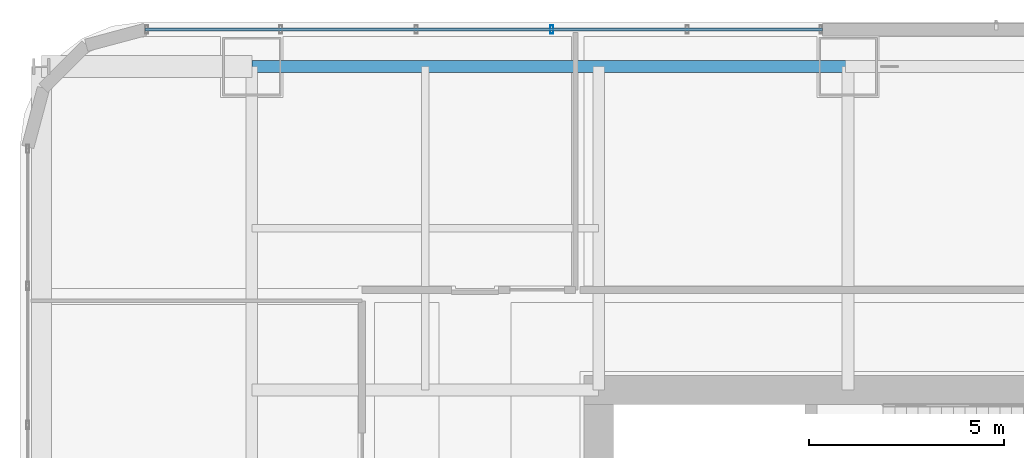
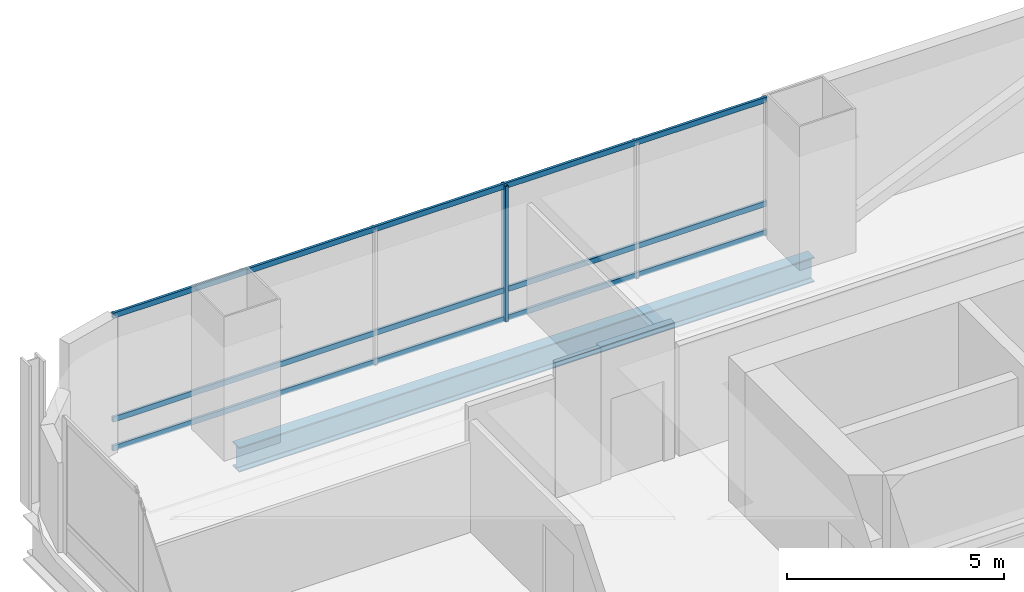
# One storey, part 19 of 37: 4 members, 1 beam, 1 element without a shape of its own.
"""IFC4 building model written with IfcOpenShell, lengths in metres."""

from ifc_helpers import new_model, si_unit, direction, frame, origin, origin_2d, place, context, subcontext, project, spatial, hollow_rectangle, i_section, extrude, material, material_profile, profile_set, type_object, element, aggregate, save


model = new_model("IFC4")

# Units and contexts
model_context = context("Model", 3, precision=1e-05, world=origin(), true_north=direction((0.0, 1.0)))
body_context = subcontext(model_context, "Body", "Model", "MODEL_VIEW")
ifc_project = project(units=[si_unit("LENGTHUNIT", "METRE"), si_unit("AREAUNIT", "SQUARE_METRE"), si_unit("VOLUMEUNIT", "CUBIC_METRE"), si_unit("PLANEANGLEUNIT", "RADIAN"), si_unit("MASSUNIT", "GRAM", prefix="KILO")], contexts=[model_context])

# Site, building, storey
site_placement = place(None, origin())
site = spatial("IfcSite", under=ifc_project, at=site_placement, CompositionType="ELEMENT")
building_placement = place(site_placement, origin())
building = spatial("IfcBuilding", under=site, at=building_placement, Name="Punatoya Terracotta Tower", CompositionType="ELEMENT")
storey_placement = place(building_placement, frame((0.0, 0.0, 44.39990234375)))
storey = spatial("IfcBuildingStorey", under=building, at=storey_placement, Name="L09", CompositionType="ELEMENT", Elevation=44.39990234375)

# Beam
ifc_material_1 = material(Name="Steel S355", Category="steel")
ifc_material_profile_1 = material_profile(ifc_material_1, i_section(OverallWidth=0.300048828125, OverallDepth=0.699951171875, WebThickness=0.01708984375, FlangeThickness=0.031982421875, FilletRadius=0.01806640625, at=origin_2d()))
ifc_profile_set_1 = profile_set([ifc_material_profile_1], Name="Steel S355")
beam_type = type_object("IfcBeamType", Name="BM-PRI-700", PredefinedType="BEAM", material=ifc_profile_set_1)
beam_placement = place(storey_placement, frame((-19.10009765625, 17.5, -0.58984375), z_axis=(1.0, 0.0, 0.0), x_axis=(0.0, 1.0, 0.0)))
element("IfcBeam", 1, at=beam_placement, inside=storey, type_object=beam_type, Name="BM-L09-RG-N1", PredefinedType="BEAM", context=body_context, shape_type="SweptSolid", body=[
    extrude(i_section(OverallWidth=0.300048828125, OverallDepth=0.699951171875, WebThickness=0.01708984375, FlangeThickness=0.031982421875, FilletRadius=0.01806640625, at=origin_2d()), origin(), (0.0, 0.0, 1.0), 15.300048828125),
])

# Curtain wall, members
ifc_material_2 = material(Name="Aluminium 6063-T6 + Double Low-E Glass", Category="aluminium")
curtain_wall_type = type_object("IfcCurtainWallType", Name="CW-M1", PredefinedType="NOTDEFINED", material=ifc_material_2)
curtain_wall_placement = place(storey_placement, origin())
curtain_wall = element("IfcCurtainWall", 2, at=curtain_wall_placement, inside=storey, type_object=curtain_wall_type, Name="L09 Curtain Wall CW-L09-N09-2", PredefinedType="NOTDEFINED")
ifc_material_3 = material(Name="Aluminium 6063-T6", Category="aluminium")
ifc_material_profile_2 = material_profile(ifc_material_3, hollow_rectangle(XDim=0.074951171875, YDim=0.2099609375, WallThickness=0.00439453125, at=origin_2d()))
ifc_profile_set_2 = profile_set([ifc_material_profile_2], Name="Aluminium 6063-T6")
member_type_1 = type_object("IfcMemberType", Name="CW-MUL-M1", PredefinedType="MULLION", material=ifc_profile_set_2)
member_1_placement = place(storey_placement, frame((-11.40478515625, 18.449951171875, 0.0), z_axis=(0.0, 0.0, 1.0), x_axis=(1.0, 0.0, 0.0)))
member_1 = element("IfcMember", 3, at=member_1_placement, type_object=member_type_1, Name="CW-L09-N09-2 Mullion 02", PredefinedType="MULLION", context=body_context, shape_type="SweptSolid", body=[
    extrude(hollow_rectangle(XDim=0.074951171875, YDim=0.2099609375, WallThickness=0.00439453125, at=origin_2d()), origin(), (0.0, 0.0, 1.0), 3.81005859375),
])
ifc_material_profile_3 = material_profile(ifc_material_3, hollow_rectangle(XDim=0.068115234375, YDim=0.14990234375, WallThickness=0.00390625, at=origin_2d()))
ifc_profile_set_3 = profile_set([ifc_material_profile_3], Name="Aluminium 6063-T6")
member_type_2 = type_object("IfcMemberType", Name="CW-TRN-TYP", PredefinedType="USERDEFINED", material=ifc_profile_set_3)
member_2_placement = place(storey_placement, frame((-4.449951171875, 18.449951171875, 0.0400390625), z_axis=(-1.0, 0.0, 0.0), x_axis=(0.0, -1.0, 0.0)))
member_2 = element("IfcMember", 4, at=member_2_placement, type_object=member_type_2, Name="CW-L09-N09-2 Transom 1", ObjectType="TRANSOM", PredefinedType="USERDEFINED", context=body_context, shape_type="SweptSolid", body=[
    extrude(hollow_rectangle(XDim=0.068115234375, YDim=0.14990234375, WallThickness=0.00390625, at=origin_2d()), origin(), (0.0, 0.0, 1.0), 17.386962890625),
])
member_3_placement = place(storey_placement, frame((-4.449951171875, 18.449951171875, 0.85009765625), z_axis=(-1.0, 0.0, 0.0), x_axis=(0.0, -1.0, 0.0)))
member_3 = element("IfcMember", 5, at=member_3_placement, type_object=member_type_2, Name="CW-L09-N09-2 Transom 2", ObjectType="TRANSOM", PredefinedType="USERDEFINED", context=body_context, shape_type="SweptSolid", body=[
    extrude(hollow_rectangle(XDim=0.068115234375, YDim=0.14990234375, WallThickness=0.00390625, at=origin_2d()), origin(), (0.0, 0.0, 1.0), 17.386962890625),
])
member_4_placement = place(storey_placement, frame((-4.449951171875, 18.449951171875, 3.77001953125), z_axis=(-1.0, 0.0, 0.0), x_axis=(0.0, -1.0, 0.0)))
member_4 = element("IfcMember", 6, at=member_4_placement, type_object=member_type_2, Name="CW-L09-N09-2 Transom 3", ObjectType="TRANSOM", PredefinedType="USERDEFINED", context=body_context, shape_type="SweptSolid", body=[
    extrude(hollow_rectangle(XDim=0.068115234375, YDim=0.14990234375, WallThickness=0.00390625, at=origin_2d()), origin(), (0.0, 0.0, 1.0), 17.386962890625),
])
aggregate(curtain_wall, [member_1, member_2, member_3, member_4])

save(model, "model.ifc")
